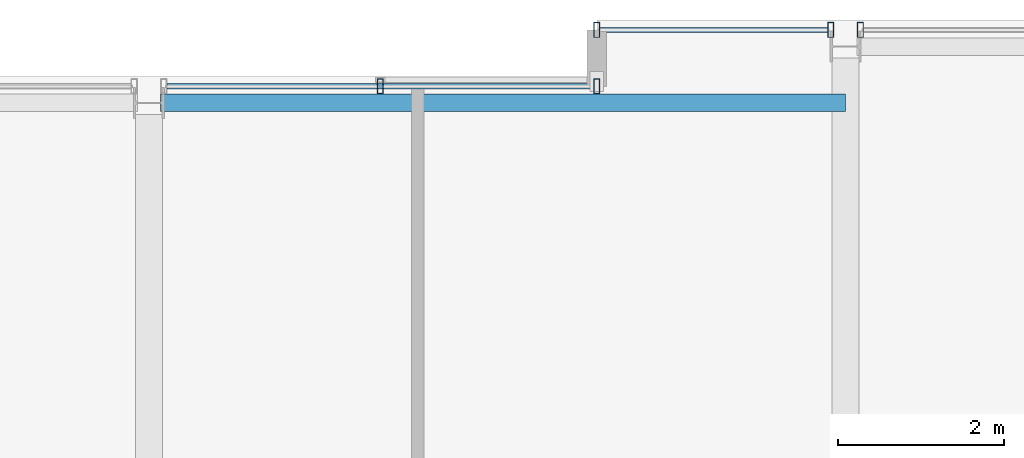
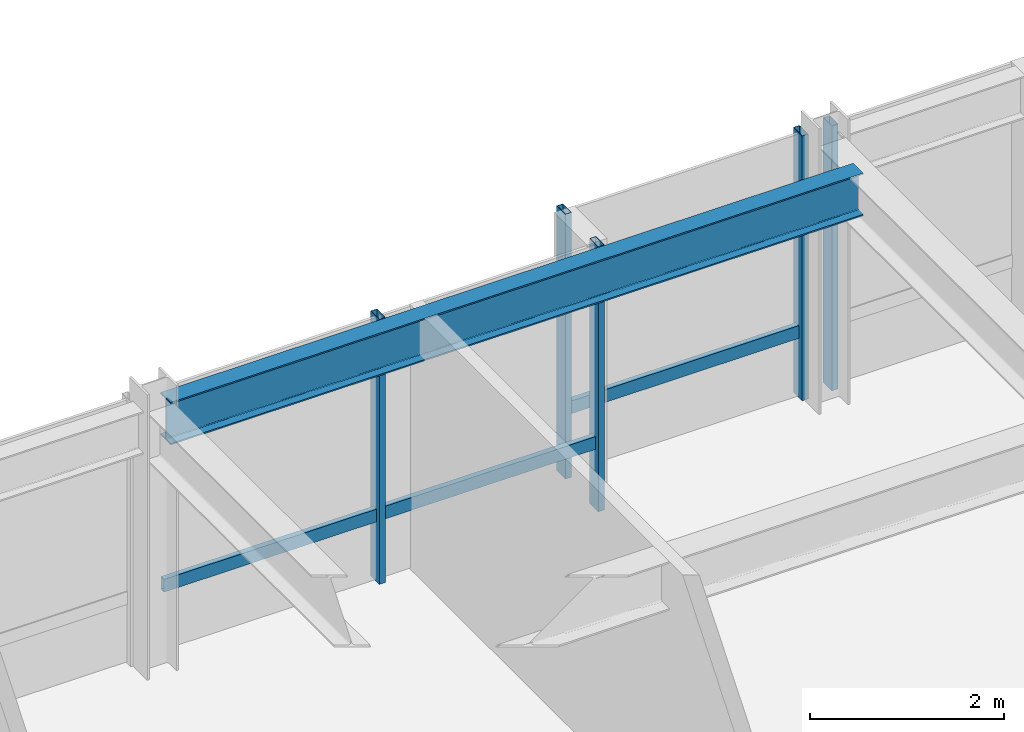
# One storey, part 21 of 32: 7 members, 1 beam, 3 elements without a shape of their own.
"""IFC4 building model written with IfcOpenShell, lengths in metres."""

import ifcopenshell
import ifcopenshell.guid

model = None  # the IFC model being written
_history = None  # IfcOwnerHistory: only IFC2X3 demands one
_inside = {}  # id of a spatial element -> (the spatial element, [elements in it])
_under = {}  # id of a project, library or spatial element -> (it, [spatial elements below it])
_declared = {}  # id of a project -> (the project, [libraries it declares])
_typed = {}  # id of a type object -> (the type object, [elements of that type])
_made_of = {}  # id of a material, layer set ... -> (it, [elements and type objects made of it])


def new_model(schema):
    """Start an empty IFC model of exactly this schema.

    Asked for "IFC4X3", IfcOpenShell would pick the latest addendum, in which some entities
    have other attributes; the version numbers below select the first issue.
    IFC2X3 requires an IfcOwnerHistory on every rooted entity: one is made here for all.
    """
    global model, _history
    if schema == "IFC4X3":
        model = ifcopenshell.file(schema_version=(4, 3, 0, 0))
    else:
        model = ifcopenshell.file(schema=schema)
    _inside.clear()
    _under.clear()
    _declared.clear()
    _typed.clear()
    _made_of.clear()
    _history = None
    if model.schema == "IFC2X3":
        org = make("IfcOrganization", Name="unknown")
        user = make(
            "IfcPersonAndOrganization",
            ThePerson=make("IfcPerson", FamilyName="unknown"),
            TheOrganization=org,
        )
        app = make(
            "IfcApplication",
            ApplicationDeveloper=org,
            Version="unknown",
            ApplicationFullName="unknown",
            ApplicationIdentifier="unknown",
        )
        _history = make(
            "IfcOwnerHistory",
            OwningUser=user,
            OwningApplication=app,
            ChangeAction="ADDED",
            CreationDate=0,
        )
    return model


def make(cls, **values):
    """One entity of the class cls with the attributes given. An attribute that is None is left unset."""
    return model.create_entity(
        cls, **{name: value for name, value in values.items() if value is not None}
    )


def rooted(cls, **values):
    """An entity with a GlobalId (a new one), such as an element, a storey or a relation."""
    return make(cls, GlobalId=ifcopenshell.guid.new(), OwnerHistory=_history, **values)


def si_unit(unit_type, name, prefix=None):
    """IfcSIUnit, for example si_unit("LENGTHUNIT", "METRE", prefix="MILLI")."""
    return make("IfcSIUnit", UnitType=unit_type, Prefix=prefix, Name=name)


def assignment(units):
    """IfcUnitAssignment: the units of a project."""
    return None if units is None else make("IfcUnitAssignment", Units=units)


def point(xyz):
    """IfcCartesianPoint."""
    return None if xyz is None else make("IfcCartesianPoint", Coordinates=xyz)


def direction(xyz):
    """IfcDirection."""
    return None if xyz is None else make("IfcDirection", DirectionRatios=xyz)


def frame(location, z_axis=None, x_axis=None):
    """IfcAxis2Placement3D, a coordinate frame: its origin and axes. An axis left out is left unset."""
    return make(
        "IfcAxis2Placement3D",
        Location=point(location),
        Axis=direction(z_axis),
        RefDirection=direction(x_axis),
    )


def frame_2d(location, x_axis=None):
    """IfcAxis2Placement2D, a coordinate frame in the plane: its origin and x axis."""
    return make(
        "IfcAxis2Placement2D", Location=point(location), RefDirection=direction(x_axis)
    )


def origin():
    """The frame at (0, 0, 0) with its axes left unset."""
    return frame((0.0, 0.0, 0.0))


def origin_2d():
    """The frame at (0, 0) in the plane with its x axis left unset."""
    return frame_2d((0.0, 0.0))


def place(relative_to, where):
    """IfcLocalPlacement: puts the frame where relative to a parent placement (None: the world)."""
    return make(
        "IfcLocalPlacement", PlacementRelTo=relative_to, RelativePlacement=where
    )


def context(
    kind, dimensions, precision=None, world=None, true_north=None, identifier=None
):
    """IfcGeometricRepresentationContext, for example the 3D "Model" context."""
    return make(
        "IfcGeometricRepresentationContext",
        ContextIdentifier=identifier,
        ContextType=kind,
        CoordinateSpaceDimension=dimensions,
        Precision=precision,
        WorldCoordinateSystem=world,
        TrueNorth=true_north,
    )


def subcontext(parent, identifier, kind, view, scale=None):
    """IfcGeometricRepresentationSubContext, for example "Body" below "Model"."""
    return make(
        "IfcGeometricRepresentationSubContext",
        ContextIdentifier=identifier,
        ContextType=kind,
        ParentContext=parent,
        TargetScale=scale,
        TargetView=view,
    )


def project(units=None, contexts=None):
    """IfcProject with its units and contexts."""
    return rooted(
        "IfcProject",
        Name="project",
        RepresentationContexts=contexts,
        UnitsInContext=assignment(units),
    )


def spatial(cls, under=None, at=None, **own):
    """A site, building, storey or space (cls), placed at a placement, below another one or the project."""
    s = rooted(cls, ObjectPlacement=at, **own)
    if under is not None:
        _under.setdefault(under.id(), (under, []))[1].append(s)
    return s


def profile(cls, at=None, kind="AREA", **sizes):
    """A parametric profile (cls). Its sizes go by their IFC names, for example OverallWidth=200.0."""
    return make(cls, ProfileType=kind, Position=at, **sizes)


def hollow_rectangle(**sizes):
    """IfcRectangleHollowProfileDef."""
    return profile("IfcRectangleHollowProfileDef", **sizes)


def i_section(**sizes):
    """IfcIShapeProfileDef."""
    return profile("IfcIShapeProfileDef", **sizes)


def extrude(swept, where, along, depth):
    """IfcExtrudedAreaSolid: the profile swept, set in the frame where, extruded along a direction by depth."""
    return make(
        "IfcExtrudedAreaSolid",
        SweptArea=swept,
        Position=where,
        ExtrudedDirection=direction(along),
        Depth=depth,
    )


def shape(context_of_items, identifier, shape_type, items):
    """IfcShapeRepresentation: the items that make up one representation, for example the "Body"."""
    return make(
        "IfcShapeRepresentation",
        ContextOfItems=context_of_items,
        RepresentationIdentifier=identifier,
        RepresentationType=shape_type,
        Items=items,
    )


def material(Name=None, Category=None):
    """IfcMaterial."""
    return make("IfcMaterial", Name=Name, Category=Category)


def layer(
    of_material, thickness, ventilated=None, Name=None, Category=None, Priority=None
):
    """IfcMaterialLayer: one layer of a wall or slab, of a material (None: an air gap)."""
    return make(
        "IfcMaterialLayer",
        Material=of_material,
        LayerThickness=thickness,
        IsVentilated=ventilated,
        Name=Name,
        Category=Category,
        Priority=Priority,
    )


def layer_set(layers, Name=None):
    """IfcMaterialLayerSet."""
    return make("IfcMaterialLayerSet", MaterialLayers=layers, LayerSetName=Name)


def material_profile(
    of_material, cross_section, Name=None, Category=None, Priority=None
):
    """IfcMaterialProfile: a cross section and its material."""
    return make(
        "IfcMaterialProfile",
        Name=Name,
        Material=of_material,
        Profile=cross_section,
        Priority=Priority,
        Category=Category,
    )


def profile_set(profiles, Name=None, composite=None):
    """IfcMaterialProfileSet."""
    return make(
        "IfcMaterialProfileSet",
        Name=Name,
        MaterialProfiles=profiles,
        CompositeProfile=composite,
    )


def made_of(thing, what):
    """Note that an element or type object is made of a material, layer set ...; save() writes the relation."""
    if what is not None:
        _made_of.setdefault(what.id(), (what, []))[1].append(thing)
    return thing


def type_object(cls, material=None, **own):
    """A type object (cls), such as IfcWallType, which elements share."""
    return made_of(rooted(cls, **own), material)


def element(
    cls,
    number,
    at=None,
    inside=None,
    cuts=None,
    type_object=None,
    material=None,
    context=None,
    identifier="Body",
    shape_type=None,
    held_by="IfcProductDefinitionShape",
    body=None,
    shapes=None,
    **own,
):
    """One element of the class cls, such as IfcWall. Its Tag is "e" and its number.

    at: its placement. inside: the storey or other place that contains it. cuts: it is an
    opening in that element (IfcRelVoidsElement). A single representation is given by context,
    identifier, shape_type and body (its items); several are given by shapes. held_by: the class
    of the entity that holds the representations. save() writes the other relations.
    """
    e = rooted(cls, Tag="e%d" % number, ObjectPlacement=at, **own)
    if body is not None:
        shapes = [shape(context, identifier, shape_type, body)]
    if shapes is not None:
        e.Representation = make(held_by, Representations=shapes)
    if inside is not None:
        _inside.setdefault(inside.id(), (inside, []))[1].append(e)
    if cuts is not None:
        rooted(
            "IfcRelVoidsElement", RelatingBuildingElement=cuts, RelatedOpeningElement=e
        )
    if type_object is not None:
        _typed.setdefault(type_object.id(), (type_object, []))[1].append(e)
    return made_of(e, material)


def aggregate(whole, parts):
    """IfcRelAggregates: a whole, such as a stair, and the parts it consists of."""
    return rooted("IfcRelAggregates", RelatingObject=whole, RelatedObjects=parts)


def save(model, path):
    """Write the relations noted so far, then the file.

    IfcRelAggregates (storeys below a building ...), IfcRelContainedInSpatialStructure (elements
    in a storey), IfcRelDefinesByType, IfcRelAssociatesMaterial and IfcRelDeclares: one each for
    every whole, place, type object, material and project.
    """
    for whole, parts in _under.values():
        aggregate(whole, parts)
    for where, things in _inside.values():
        rooted(
            "IfcRelContainedInSpatialStructure",
            RelatedElements=things,
            RelatingStructure=where,
        )
    for kind, things in _typed.values():
        rooted("IfcRelDefinesByType", RelatedObjects=things, RelatingType=kind)
    for what, things in _made_of.values():
        rooted("IfcRelAssociatesMaterial", RelatedObjects=things, RelatingMaterial=what)
    for by, libraries in _declared.values():
        rooted("IfcRelDeclares", RelatingContext=by, RelatedDefinitions=libraries)
    model.write(path)


model = new_model("IFC4")

# Units and contexts
model_context = context("Model", 3, precision=1e-05, world=origin(), true_north=direction((0.0, 1.0)))
body_context = subcontext(model_context, "Body", "Model", "MODEL_VIEW")
ifc_project = project(units=[si_unit("LENGTHUNIT", "METRE"), si_unit("AREAUNIT", "SQUARE_METRE"), si_unit("VOLUMEUNIT", "CUBIC_METRE"), si_unit("PLANEANGLEUNIT", "RADIAN"), si_unit("MASSUNIT", "GRAM", prefix="KILO")], contexts=[model_context])

# Site, building, storey
site_placement = place(None, origin())
site = spatial("IfcSite", under=ifc_project, at=site_placement, CompositionType="ELEMENT")
building_placement = place(site_placement, origin())
building = spatial("IfcBuilding", under=site, at=building_placement, Name="Drelvath Grand Hotel", CompositionType="ELEMENT")
storey_placement = place(building_placement, frame((0.0, 0.0, 241.10009765625)))
storey = spatial("IfcBuildingStorey", under=building, at=storey_placement, Name="L63", CompositionType="ELEMENT", Elevation=241.10009765625)

# Curtain wall, member
ifc_material_1 = material(Name="Platinum-Mist Anodised Aluminium Frame", Category="aluminium")
ifc_layer = layer(ifc_material_1, 0.199951171875)
ifc_layer_set = layer_set([ifc_layer], Name="Platinum-Mist Anodised Aluminium Frame")
curtain_wall_type = type_object("IfcCurtainWallType", Name="Stick Curtain Wall CW-05 Platinum Mist High-Rise", PredefinedType="NOTDEFINED", material=ifc_layer_set)
curtain_wall_1_placement = place(storey_placement, origin())
curtain_wall_1 = element("IfcCurtainWall", 1, at=curtain_wall_1_placement, inside=storey, type_object=curtain_wall_type, Name="L63 CW-05 Curtain Wall CW05-L63-NM2", PredefinedType="NOTDEFINED")
ifc_material_profile_1 = material_profile(ifc_material_1, hollow_rectangle(XDim=0.06494140625, YDim=0.159912109375, WallThickness=0.00390625, at=origin_2d()), Name="HSS160X65X4")
ifc_profile_set_1 = profile_set([ifc_material_profile_1], Name="Platinum-Mist Anodised Aluminium Frame")
member_type_1 = type_object("IfcMemberType", Name="Curtain Wall Horizontal Transom CW-05 HSS160X65X4", PredefinedType="USERDEFINED", material=ifc_profile_set_1)
member_1_placement = place(storey_placement, frame((0.21826171875, 48.39990234375, 0.8349609375), z_axis=(1.0, 0.0, 0.0), x_axis=(0.0, 1.0, 0.0)))
member_1 = element("IfcMember", 2, at=member_1_placement, type_object=member_type_1, Name="CW05-L63-NM2 Sill Transom", ObjectType="TRANSOM", PredefinedType="USERDEFINED", context=body_context, shape_type="SweptSolid", body=[
    extrude(hollow_rectangle(XDim=0.06494140625, YDim=0.159912109375, WallThickness=0.00390625, at=origin_2d()), origin(), (0.0, 0.0, 1.0), 5.141845703125),
])

curtain_wall_2_placement = place(storey_placement, origin())
curtain_wall_2 = element("IfcCurtainWall", 3, at=curtain_wall_2_placement, inside=storey, type_object=curtain_wall_type, Name="L63 CW-05 Curtain Wall CW05-L63-NE1", PredefinedType="NOTDEFINED")
member_2_placement = place(storey_placement, frame((5.43994140625, 49.080078125, 0.8349609375), z_axis=(1.0, 0.0, 0.0), x_axis=(0.0, 1.0, 0.0)))
member_2 = element("IfcMember", 4, at=member_2_placement, type_object=member_type_1, Name="CW05-L63-NE1 Sill Transom", ObjectType="TRANSOM", PredefinedType="USERDEFINED", context=body_context, shape_type="SweptSolid", body=[
    extrude(hollow_rectangle(XDim=0.06494140625, YDim=0.159912109375, WallThickness=0.00390625, at=origin_2d()), origin(), (0.0, 0.0, 1.0), 2.741943359375),
])

# Member
ifc_material_profile_2 = material_profile(ifc_material_1, hollow_rectangle(XDim=0.074951171875, YDim=0.179931640625, WallThickness=0.0048828125, at=origin_2d()), Name="HSS180X75X5")
ifc_profile_set_2 = profile_set([ifc_material_profile_2], Name="Platinum-Mist Anodised Aluminium Frame")
member_type_2 = type_object("IfcMemberType", Name="Curtain Wall Vertical Mullion CW-05 HSS180X75X5", PredefinedType="MULLION", material=ifc_profile_set_2)
member_3_placement = place(storey_placement, frame((2.7890625, 48.39990234375, 0.0), z_axis=(0.0, 0.0, 1.0), x_axis=(1.0, 0.0, 0.0)))
member_3 = element("IfcMember", 5, at=member_3_placement, type_object=member_type_2, Name="CW05-L63-NM2 Mullion 2", PredefinedType="MULLION", context=body_context, shape_type="SweptSolid", body=[
    extrude(hollow_rectangle(XDim=0.074951171875, YDim=0.179931640625, WallThickness=0.0048828125, at=origin_2d()), origin(), (0.0, 0.0, 1.0), 3.33984375),
])

member_4_placement = place(storey_placement, frame((5.39990234375, 48.39990234375, 0.0), z_axis=(0.0, 0.0, 1.0), x_axis=(1.0, 0.0, 0.0)))
member_4 = element("IfcMember", 6, at=member_4_placement, type_object=member_type_2, Name="CW05-L63-NM2 Mullion 3", PredefinedType="MULLION", context=body_context, shape_type="SweptSolid", body=[
    extrude(hollow_rectangle(XDim=0.074951171875, YDim=0.179931640625, WallThickness=0.0048828125, at=origin_2d()), origin(), (0.0, 0.0, 1.0), 3.33984375),
])

aggregate(curtain_wall_1, [member_3, member_4, member_1])

member_5_placement = place(storey_placement, frame((5.39990234375, 49.080078125, 0.0), z_axis=(0.0, 0.0, 1.0), x_axis=(1.0, 0.0, 0.0)))
member_5 = element("IfcMember", 7, at=member_5_placement, type_object=member_type_2, Name="CW05-L63-NE1 Mullion 1", PredefinedType="MULLION", context=body_context, shape_type="SweptSolid", body=[
    extrude(hollow_rectangle(XDim=0.074951171875, YDim=0.179931640625, WallThickness=0.0048828125, at=origin_2d()), origin(), (0.0, 0.0, 1.0), 3.33984375),
])

member_6_placement = place(storey_placement, frame((8.2216796875, 49.080078125, 0.0), z_axis=(0.0, 0.0, 1.0), x_axis=(1.0, 0.0, 0.0)))
member_6 = element("IfcMember", 8, at=member_6_placement, type_object=member_type_2, Name="CW05-L63-NE1 Mullion 2", PredefinedType="MULLION", context=body_context, shape_type="SweptSolid", body=[
    extrude(hollow_rectangle(XDim=0.074951171875, YDim=0.179931640625, WallThickness=0.0048828125, at=origin_2d()), origin(), (0.0, 0.0, 1.0), 3.33984375),
])

aggregate(curtain_wall_2, [member_5, member_6, member_2])

# Curtain wall, member
curtain_wall_3_placement = place(storey_placement, origin())
curtain_wall_3 = element("IfcCurtainWall", 9, at=curtain_wall_3_placement, inside=storey, type_object=curtain_wall_type, Name="L63 CW-05 Curtain Wall CW05-L63-NE2", PredefinedType="NOTDEFINED")
member_7_placement = place(storey_placement, frame((8.578125, 49.080078125, 0.0), z_axis=(0.0, 0.0, 1.0), x_axis=(1.0, 0.0, 0.0)))
member_7 = element("IfcMember", 10, at=member_7_placement, type_object=member_type_2, Name="CW05-L63-NE2 Mullion 1", PredefinedType="MULLION", context=body_context, shape_type="SweptSolid", body=[
    extrude(hollow_rectangle(XDim=0.074951171875, YDim=0.179931640625, WallThickness=0.0048828125, at=origin_2d()), origin(), (0.0, 0.0, 1.0), 3.33984375),
])
aggregate(curtain_wall_3, [member_7])

# Beam
ifc_material_2 = material(Name="Steel ASTM A992 Gr 50", Category="steel")
ifc_material_profile_3 = material_profile(ifc_material_2, i_section(OverallWidth=0.210205078125, OverallDepth=0.53662109375, WebThickness=0.010986328125, FlangeThickness=0.017333984375, FilletRadius=0.01806640625, at=origin_2d()), Name="W21X68")
ifc_profile_set_3 = profile_set([ifc_material_profile_3], Name="Steel ASTM A992 Gr 50")
beam_type = type_object("IfcBeamType", Name="Perimeter Spandrel Beam W21X68", PredefinedType="SPANDREL", material=ifc_profile_set_3)
beam_placement = place(storey_placement, frame((0.139892578125, 48.199951171875, 3.071533203125), z_axis=(1.0, 0.0, 0.0), x_axis=(0.0, 1.0, 0.0)))
element("IfcBeam", 11, at=beam_placement, inside=storey, type_object=beam_type, Name="L63 Spandrel North Mid E", PredefinedType="SPANDREL", context=body_context, shape_type="SweptSolid", body=[
    extrude(i_section(OverallWidth=0.210205078125, OverallDepth=0.53662109375, WebThickness=0.010986328125, FlangeThickness=0.017333984375, FilletRadius=0.01806640625, at=origin_2d()), origin(), (0.0, 0.0, 1.0), 8.260009765625),
])

save(model, "model.ifc")
